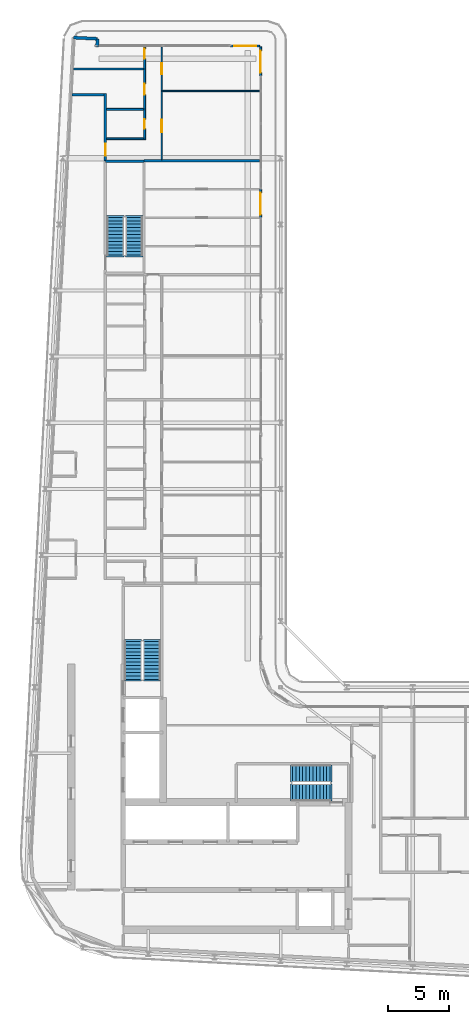
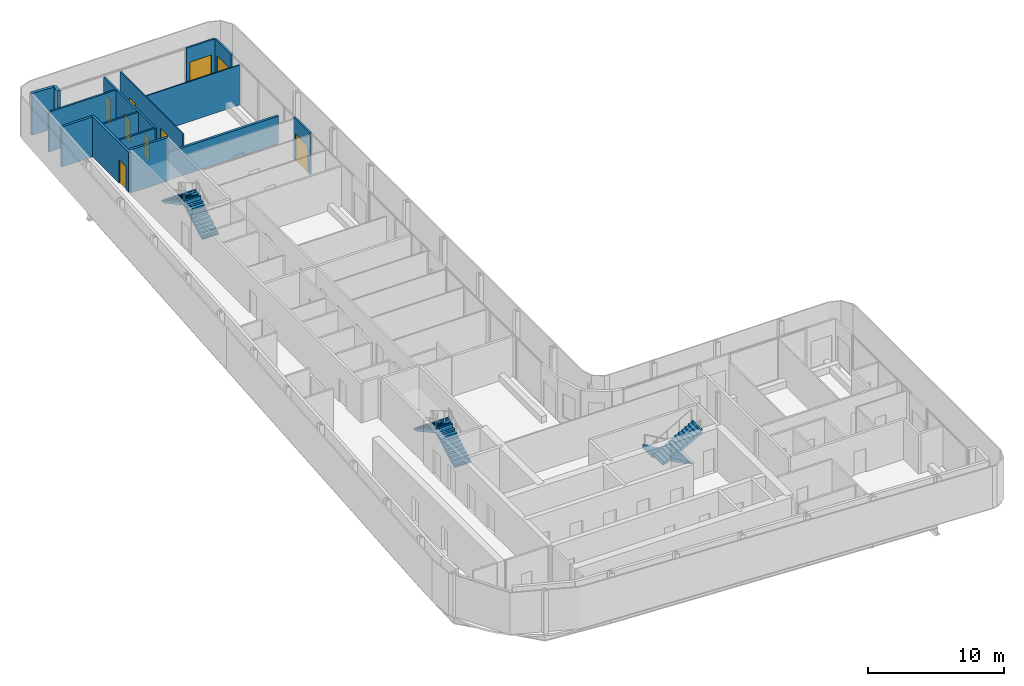
# One storey, part 15 of 21: 15 walls, 9 doors, 6 stair flights, 9 openings, 3 elements without a shape of their own.
"""IFC4 building model written with IfcOpenShell, lengths in metres."""

from ifc_helpers import new_model, si_unit, direction, frame, frame_2d, origin, place, context, subcontext, project, spatial, polyline, rectangle, outline, extrude, source, transform, mapped, material, layer, layer_set, type_object, element, fill, aggregate, save


model = new_model("IFC4")

# Units and contexts
model_context = context("Model", 3, precision=1e-05, world=origin(), true_north=direction((0.0, 1.0)))
body_context = subcontext(model_context, "Body", "Model", "MODEL_VIEW")
ifc_project = project(units=[si_unit("LENGTHUNIT", "METRE"), si_unit("AREAUNIT", "SQUARE_METRE"), si_unit("VOLUMEUNIT", "CUBIC_METRE"), si_unit("PLANEANGLEUNIT", "RADIAN"), si_unit("MASSUNIT", "GRAM", prefix="KILO")], contexts=[model_context])

# Site, building, storey
site_placement = place(None, origin())
site = spatial("IfcSite", under=ifc_project, at=site_placement, CompositionType="ELEMENT")
building_placement = place(site_placement, origin())
building = spatial("IfcBuilding", under=site, at=building_placement, Name="Kheshtan School and Residences Tower", CompositionType="ELEMENT")
storey_placement = place(building_placement, frame((0.0, 0.0, 313.699951171875)))
storey = spatial("IfcBuildingStorey", under=building, at=storey_placement, Name="L74", CompositionType="ELEMENT", Elevation=313.699951171875)

# Wall
ifc_material_1 = material(Name="Gypsum board on steel studs with fire boards", Category="steel")
ifc_layer_1 = layer(ifc_material_1, 0.199951171875)
ifc_layer_set_1 = layer_set([ifc_layer_1], Name="Corridor wall 200")
wall_type_1 = type_object("IfcWallType", Name="Corridor wall 200", PredefinedType="PARTITIONING", material=ifc_layer_set_1)
wall_1_placement = place(storey_placement, frame((30.584716796875, 94.0, 0.0), z_axis=(0.0, 0.0, 1.0), x_axis=(1.0, 0.0, 0.0)))
element("IfcWall", 1, at=wall_1_placement, inside=storey, type_object=wall_type_1, Name="Partition L74-002", PredefinedType="PARTITIONING", context=body_context, shape_type="SweptSolid", body=[
    extrude(rectangle(XDim=2.615234375, YDim=0.199951171875, at=frame_2d((1.3076171875, 0.0))), origin(), (0.0, 0.0, 1.0), 3.60009765625),
])

# Wall, opening, door
wall_2_placement = place(storey_placement, frame((33.300048828125, 88.60009765625, 0.0), z_axis=(0.0, 0.0, 1.0), x_axis=(0.0, 1.0, 0.0)))
wall_2 = element("IfcWall", 2, at=wall_2_placement, inside=storey, type_object=wall_type_1, Name="Partition L74-004", PredefinedType="PARTITIONING", context=body_context, shape_type="SweptSolid", body=[
    extrude(rectangle(XDim=5.5, YDim=0.199951171875, at=frame_2d((2.75, 0.0))), origin(), (0.0, 0.0, 1.0), 3.60009765625),
])
opening_1_placement = place(wall_2_placement, frame((0.39990234375, 0.0, 0.0)))
opening_1 = element("IfcOpeningElement", 3, at=opening_1_placement, cuts=wall_2, Name="Opening D72-033", PredefinedType="OPENING", context=body_context, shape_type="SweptSolid", body=[
    extrude(rectangle(XDim=1.0, YDim=2.10009765625, at=frame_2d((0.5, 1.050048828125))), frame((0.0, 0.10986328125, 0.0), z_axis=(0.0, -1.0, 0.0), x_axis=(1.0, 0.0, 0.0)), (0.0, 0.0, 1.0), 0.219970703125),
])
ifc_material_2 = material(Name="Steel-framed fire-resisting door leaf", Category="steel")
door_type_1 = type_object("IfcDoorType", Name="Fire door FD30S 1000 x 2100", OperationType="SINGLE_SWING_LEFT", PredefinedType="DOOR", material=ifc_material_2)
shared_shape_1 = source(origin(), body_context, "Body", "SweptSolid", [
    extrude(rectangle(XDim=1.0, YDim=2.10009765625, at=frame_2d((0.5, 1.050048828125))), frame((0.0, 0.02490234375, 0.0), z_axis=(0.0, -1.0, 0.0), x_axis=(1.0, 0.0, 0.0)), (0.0, 0.0, 1.0), 0.050048828125),
])
door_1_placement = place(opening_1_placement, origin())
door_1 = element("IfcDoor", 4, at=door_1_placement, inside=storey, type_object=door_type_1, Name="Door D72-033", OperationType="SINGLE_SWING_LEFT", OverallHeight=2.10009765625, OverallWidth=1.0, PredefinedType="DOOR", context=body_context, shape_type="MappedRepresentation", body=[
    mapped(shared_shape_1, transform((0.0, 0.0, 0.0), x_axis=(1.0, 0.0, 0.0), y_axis=(0.0, 1.0, 0.0), z_axis=(0.0, 0.0, 1.0), scale=1.0)),
])
fill(opening_1, door_1)

# Walls
ifc_material_3 = material(Name="Concrete C40/50 with ceramic cladding and mineral wool insulation", Category="concrete")
ifc_layer_2 = layer(ifc_material_3, 0.25)
ifc_layer_set_2 = layer_set([ifc_layer_2], Name="External wall 250 ceramic clad")
wall_type_2 = type_object("IfcWallType", Name="External wall 250 ceramic clad", PredefinedType="SOLIDWALL", material=ifc_layer_set_2)
wall_3_placement = place(storey_placement, frame((30.705078125, 98.6640625, 0.0), z_axis=(0.0, 0.0, 1.0), x_axis=(0.998577785791, -0.053314216913, 0.0)))
element("IfcWall", 5, at=wall_3_placement, inside=storey, type_object=wall_type_2, Name="External wall L74 5", PredefinedType="SOLIDWALL", context=body_context, shape_type="SweptSolid", body=[
    extrude(rectangle(XDim=1.95068359375, YDim=0.25, at=frame_2d((0.975341796875, 0.0))), origin(), (0.0, 0.0, 1.0), 3.75),
])
wall_4_placement = place(storey_placement, frame((32.653076171875, 98.56005859375, 0.0), z_axis=(0.0, 0.0, 1.0), x_axis=(-0.054093451632, -0.998535877418, 0.0)))
element("IfcWall", 6, at=wall_4_placement, inside=storey, type_object=wall_type_2, Name="External wall L74 6", PredefinedType="SOLIDWALL", context=body_context, shape_type="SweptSolid", body=[
    extrude(rectangle(XDim=0.66796875, YDim=0.25, at=frame_2d((0.333984375, 0.0))), origin(), (0.0, 0.0, 1.0), 3.75),
])

# Wall, opening, door
ifc_material_4 = material(Name="Aluminium frame wall with insulated infill", Category="aluminium")
ifc_layer_3 = layer(ifc_material_4, 0.14990234375)
ifc_layer_set_3 = layer_set([ifc_layer_3], Name="Glazing frame wall 150")
wall_type_3 = type_object("IfcWallType", Name="Glazing frame wall 150", PredefinedType="SOLIDWALL", material=ifc_layer_set_3)
wall_5_placement = place(storey_placement, frame((43.5, 97.97509765625, 0.0), z_axis=(0.0, 0.0, 1.0), x_axis=(1.0, 0.0, 0.0)))
wall_5 = element("IfcWall", 7, at=wall_5_placement, inside=storey, type_object=wall_type_3, Name="Balcony door wall L74 7.1", PredefinedType="SOLIDWALL", context=body_context, shape_type="SweptSolid", body=[
    extrude(rectangle(XDim=2.39990234375, YDim=0.14990234375, at=frame_2d((1.199951171875, 0.0))), origin(), (0.0, 0.0, 1.0), 3.75),
])
opening_2_placement = place(wall_5_placement, frame((0.300048828125, 0.0, 0.0)))
opening_2 = element("IfcOpeningElement", 8, at=opening_2_placement, cuts=wall_5, Name="Opening BD", PredefinedType="OPENING", context=body_context, shape_type="SweptSolid", body=[
    extrude(rectangle(XDim=1.800048828125, YDim=2.39990234375, at=frame_2d((0.89990234375, 1.199951171875))), frame((0.0, 0.0849609375, 0.0), z_axis=(0.0, -1.0, 0.0), x_axis=(1.0, 0.0, 0.0)), (0.0, 0.0, 1.0), 0.169921875),
])
ifc_material_5 = material(Name="Clear low-e glass in thermally broken aluminium frame", Category="aluminium")
door_type_2 = type_object("IfcDoorType", Name="Balcony sliding door", OperationType="SLIDING_TO_LEFT", PredefinedType="DOOR", material=ifc_material_5)
shared_shape_2 = source(origin(), body_context, "Body", "SweptSolid", [
    extrude(rectangle(XDim=1.800048828125, YDim=2.39990234375, at=frame_2d((0.89990234375, 1.199951171875))), frame((0.0, 0.02490234375, 0.0), z_axis=(0.0, -1.0, 0.0), x_axis=(1.0, 0.0, 0.0)), (0.0, 0.0, 1.0), 0.050048828125),
])
door_2_placement = place(opening_2_placement, origin())
door_2 = element("IfcDoor", 9, at=door_2_placement, inside=storey, type_object=door_type_2, Name="Balcony door L74 7.1", OperationType="SLIDING_TO_LEFT", OverallHeight=2.39990234375, OverallWidth=1.800048828125, PredefinedType="DOOR", context=body_context, shape_type="MappedRepresentation", body=[
    mapped(shared_shape_2, transform((0.0, 0.0, 0.0), x_axis=(1.0, 0.0, 0.0), y_axis=(0.0, 1.0, 0.0), z_axis=(0.0, 0.0, 1.0), scale=1.0)),
])
fill(opening_2, door_2)

wall_6_placement = place(storey_placement, frame((45.97509765625, 97.89990234375, 0.0), z_axis=(0.0, 0.0, 1.0), x_axis=(0.0, -1.0, 0.0)))
wall_6 = element("IfcWall", 10, at=wall_6_placement, inside=storey, type_object=wall_type_3, Name="Balcony door wall L74 8.1", PredefinedType="SOLIDWALL", context=body_context, shape_type="SweptSolid", body=[
    extrude(rectangle(XDim=2.39990234375, YDim=0.14990234375, at=frame_2d((1.199951171875, 0.0))), origin(), (0.0, 0.0, 1.0), 3.75),
])
opening_3_placement = place(wall_6_placement, frame((0.300048828125, 0.0, 0.0)))
opening_3 = element("IfcOpeningElement", 11, at=opening_3_placement, cuts=wall_6, Name="Opening BD", PredefinedType="OPENING", context=body_context, shape_type="SweptSolid", body=[
    extrude(rectangle(XDim=1.800048828125, YDim=2.39990234375, at=frame_2d((0.89990234375, 1.199951171875))), frame((0.0, 0.0849609375, 0.0), z_axis=(0.0, -1.0, 0.0), x_axis=(1.0, 0.0, 0.0)), (0.0, 0.0, 1.0), 0.169921875),
])
door_3_placement = place(opening_3_placement, origin())
door_3 = element("IfcDoor", 12, at=door_3_placement, inside=storey, type_object=door_type_2, Name="Balcony door L74 8.1", OperationType="SLIDING_TO_LEFT", OverallHeight=2.39990234375, OverallWidth=1.800048828125, PredefinedType="DOOR", context=body_context, shape_type="MappedRepresentation", body=[
    mapped(shared_shape_2, transform((0.0, 0.0, 0.0), x_axis=(1.0, 0.0, 0.0), y_axis=(0.0, 1.0, 0.0), z_axis=(0.0, 0.0, 1.0), scale=1.0)),
])
fill(opening_3, door_3)

wall_7_placement = place(storey_placement, frame((45.97509765625, 86.305908203125, 0.0), z_axis=(0.0, 0.0, 1.0), x_axis=(0.0, -1.0, 0.0)))
wall_7 = element("IfcWall", 13, at=wall_7_placement, inside=storey, type_object=wall_type_3, Name="Balcony door wall L74 8.2", PredefinedType="SOLIDWALL", context=body_context, shape_type="SweptSolid", body=[
    extrude(rectangle(XDim=2.39990234375, YDim=0.14990234375, at=frame_2d((1.199951171875, 0.0))), origin(), (0.0, 0.0, 1.0), 3.75),
])
opening_4_placement = place(wall_7_placement, frame((0.300048828125, 0.0, 0.0)))
opening_4 = element("IfcOpeningElement", 14, at=opening_4_placement, cuts=wall_7, Name="Opening BD", PredefinedType="OPENING", context=body_context, shape_type="SweptSolid", body=[
    extrude(rectangle(XDim=1.800048828125, YDim=2.39990234375, at=frame_2d((0.89990234375, 1.199951171875))), frame((0.0, 0.0849609375, 0.0), z_axis=(0.0, -1.0, 0.0), x_axis=(1.0, 0.0, 0.0)), (0.0, 0.0, 1.0), 0.169921875),
])
door_4_placement = place(opening_4_placement, origin())
door_4 = element("IfcDoor", 15, at=door_4_placement, inside=storey, type_object=door_type_2, Name="Balcony door L74 8.2", OperationType="SLIDING_TO_LEFT", OverallHeight=2.39990234375, OverallWidth=1.800048828125, PredefinedType="DOOR", context=body_context, shape_type="MappedRepresentation", body=[
    mapped(shared_shape_2, transform((0.0, 0.0, 0.0), x_axis=(1.0, 0.0, 0.0), y_axis=(0.0, 1.0, 0.0), z_axis=(0.0, 0.0, 1.0), scale=1.0)),
])
fill(opening_4, door_4)

# Wall, openings, doors
ifc_material_6 = material(Name="Gypsum board on steel studs", Category="steel")
ifc_layer_4 = layer(ifc_material_6, 0.10009765625)
ifc_layer_set_4 = layer_set([ifc_layer_4], Name="Gypsum partition 100")
wall_type_4 = type_object("IfcWallType", Name="Gypsum partition 100", PredefinedType="PARTITIONING", material=ifc_layer_set_4)
wall_8_placement = place(storey_placement, frame((37.89990234375, 88.699951171875, 0.0), z_axis=(0.0, 0.0, 1.0), x_axis=(0.0, 1.0, 0.0)))
wall_8 = element("IfcWall", 16, at=wall_8_placement, inside=storey, type_object=wall_type_4, Name="Partition L74-032", PredefinedType="PARTITIONING", context=body_context, shape_type="SweptSolid", body=[
    extrude(rectangle(XDim=9.199951171875, YDim=0.10009765625, at=frame_2d((4.60009765625, 0.0))), origin(), (0.0, 0.0, 1.0), 3.60009765625),
])
opening_5_placement = place(wall_8_placement, frame((6.949951171875, 0.0, 0.0)))
opening_5 = element("IfcOpeningElement", 17, at=opening_5_placement, cuts=wall_8, Name="Opening D72-032", PredefinedType="OPENING", context=body_context, shape_type="SweptSolid", body=[
    extrude(rectangle(XDim=0.89990234375, YDim=2.10009765625, at=frame_2d((0.449951171875, 1.050048828125))), frame((0.0, 0.06005859375, 0.0), z_axis=(0.0, -1.0, 0.0), x_axis=(1.0, 0.0, 0.0)), (0.0, 0.0, 1.0), 0.1201171875),
])
opening_6_placement = place(wall_8_placement, frame((2.25, 0.0, 0.0)))
opening_6 = element("IfcOpeningElement", 18, at=opening_6_placement, cuts=wall_8, Name="Opening D72-035", PredefinedType="OPENING", context=body_context, shape_type="SweptSolid", body=[
    extrude(rectangle(XDim=1.0, YDim=2.10009765625, at=frame_2d((0.5, 1.050048828125))), frame((0.0, 0.06005859375, 0.0), z_axis=(0.0, -1.0, 0.0), x_axis=(1.0, 0.0, 0.0)), (0.0, 0.0, 1.0), 0.1201171875),
])
ifc_material_7 = material(Name="Veneered timber door leaf", Category="wood")
door_type_3 = type_object("IfcDoorType", Name="Door 1000 x 2100", OperationType="SINGLE_SWING_LEFT", PredefinedType="DOOR", material=ifc_material_7)
shared_shape_3 = source(origin(), body_context, "Body", "SweptSolid", [
    extrude(rectangle(XDim=1.0, YDim=2.10009765625, at=frame_2d((0.5, 1.050048828125))), frame((0.0, 0.02490234375, 0.0), z_axis=(0.0, -1.0, 0.0), x_axis=(1.0, 0.0, 0.0)), (0.0, 0.0, 1.0), 0.050048828125),
])
door_5_placement = place(opening_6_placement, origin())
door_5 = element("IfcDoor", 19, at=door_5_placement, inside=storey, type_object=door_type_3, Name="Door D72-035", OperationType="SINGLE_SWING_RIGHT", OverallHeight=2.10009765625, OverallWidth=1.0, PredefinedType="DOOR", context=body_context, shape_type="MappedRepresentation", body=[
    mapped(shared_shape_3, transform((0.0, 0.0, 0.0), x_axis=(1.0, 0.0, 0.0), y_axis=(0.0, 1.0, 0.0), z_axis=(0.0, 0.0, 1.0), scale=1.0)),
])
fill(opening_6, door_5)
door_type_4 = type_object("IfcDoorType", Name="Door 900 x 2100", OperationType="SINGLE_SWING_LEFT", PredefinedType="DOOR", material=ifc_material_7)
shared_shape_4 = source(origin(), body_context, "Body", "SweptSolid", [
    extrude(rectangle(XDim=0.89990234375, YDim=2.10009765625, at=frame_2d((0.449951171875, 1.050048828125))), frame((0.0, 0.02490234375, 0.0), z_axis=(0.0, -1.0, 0.0), x_axis=(1.0, 0.0, 0.0)), (0.0, 0.0, 1.0), 0.050048828125),
])
door_6_placement = place(opening_5_placement, origin())
door_6 = element("IfcDoor", 20, at=door_6_placement, inside=storey, type_object=door_type_4, Name="Door D72-032", OperationType="SINGLE_SWING_RIGHT", OverallHeight=2.10009765625, OverallWidth=0.89990234375, PredefinedType="DOOR", context=body_context, shape_type="MappedRepresentation", body=[
    mapped(shared_shape_4, transform((0.0, 0.0, 0.0), x_axis=(1.0, 0.0, 0.0), y_axis=(0.0, 1.0, 0.0), z_axis=(0.0, 0.0, 1.0), scale=1.0)),
])
fill(opening_5, door_6)

# Walls
wall_9_placement = place(storey_placement, frame((37.949951171875, 94.300048828125, 0.0), z_axis=(0.0, 0.0, 1.0), x_axis=(1.0, 0.0, 0.0)))
element("IfcWall", 21, at=wall_9_placement, inside=storey, type_object=wall_type_4, Name="Partition L74-033", PredefinedType="PARTITIONING", context=body_context, shape_type="SweptSolid", body=[
    extrude(rectangle(XDim=7.949951171875, YDim=0.10009765625, at=frame_2d((3.97509765625, 0.0))), origin(), (0.0, 0.0, 1.0), 3.60009765625),
])
ifc_material_8 = material(Name="Concrete C40/50", Category="concrete")
ifc_layer_5 = layer(ifc_material_8, 0.199951171875)
ifc_layer_set_5 = layer_set([ifc_layer_5], Name="Stair enclosure wall 200 Concrete C40/50")
wall_type_5 = type_object("IfcWallType", Name="Stair enclosure wall 200 Concrete C40/50", PredefinedType="SHEAR", material=ifc_layer_set_5)
wall_10_placement = place(storey_placement, frame((33.300048828125, 88.56005859375, 0.0), z_axis=(0.0, 0.0, 1.0), x_axis=(1.0, 0.0, 0.0)))
element("IfcWall", 22, at=wall_10_placement, inside=storey, type_object=wall_type_5, Name="Stair enclosure wall ST3", PredefinedType="SHEAR", context=body_context, shape_type="SweptSolid", body=[
    extrude(rectangle(XDim=3.14990234375, YDim=0.199951171875, at=frame_2d((1.574951171875, 0.0))), origin(), (0.0, 0.0, 1.0), 3.900146484375),
])
ifc_material_9 = material(Name="Twin gypsum board on steel studs with mineral wool", Category="steel")
ifc_layer_6 = layer(ifc_material_9, 0.199951171875)
ifc_layer_set_6 = layer_set([ifc_layer_6], Name="Unit demising wall 200")
wall_type_6 = type_object("IfcWallType", Name="Unit demising wall 200", PredefinedType="PARTITIONING", material=ifc_layer_set_6)
wall_11_placement = place(storey_placement, frame((36.449951171875, 88.60009765625, 0.0), z_axis=(0.0, 0.0, 1.0), x_axis=(1.0, 0.0, 0.0)))
element("IfcWall", 23, at=wall_11_placement, inside=storey, type_object=wall_type_6, Name="Partition L74-024", PredefinedType="PARTITIONING", context=body_context, shape_type="SweptSolid", body=[
    extrude(rectangle(XDim=9.449951171875, YDim=0.199951171875, at=frame_2d((4.72509765625, 0.0))), origin(), (0.0, 0.0, 1.0), 2.5),
])
ifc_material_10 = material(Name="Moisture-resistant gypsum board on steel studs", Category="steel")
ifc_layer_7 = layer(ifc_material_10, 0.14990234375)
ifc_layer_set_7 = layer_set([ifc_layer_7], Name="Wet-room partition 150")
wall_type_7 = type_object("IfcWallType", Name="Wet-room partition 150", PredefinedType="PARTITIONING", material=ifc_layer_set_7)
wall_12_placement = place(storey_placement, frame((30.695068359375, 96.10009765625, 0.0), z_axis=(0.0, 0.0, 1.0), x_axis=(1.0, 0.0, 0.0)))
element("IfcWall", 24, at=wall_12_placement, inside=storey, type_object=wall_type_7, Name="Partition L74-001", PredefinedType="PARTITIONING", context=body_context, shape_type="SweptSolid", body=[
    extrude(rectangle(XDim=5.72998046875, YDim=0.14990234375, at=frame_2d((2.864990234375, 0.0))), origin(), (0.0, 0.0, 1.0), 3.60009765625),
])
for number, where, z_axis, x_axis, name in (
    (25, (33.39990234375, 90.39990234375, 0.0), (0.0, 0.0, 1.0), (1.0, 0.0, 0.0), "Partition L74-016"),
    (26, (33.39990234375, 92.800048828125, 0.0), (0.0, 0.0, 1.0), (1.0, 0.0, 0.0), "Partition L74-017"),
):
    element("IfcWall", number, at=place(storey_placement, frame(where, z_axis=z_axis, x_axis=x_axis)), inside=storey, type_object=wall_type_7, Name=name, PredefinedType="PARTITIONING", context=body_context, shape_type="SweptSolid", body=[
        extrude(rectangle(XDim=3.025146484375, YDim=0.14990234375, at=frame_2d((1.5126953125, 0.0))), origin(), (0.0, 0.0, 1.0), 3.60009765625),
    ])

# Wall, openings, doors
wall_13_placement = place(storey_placement, frame((36.5, 90.324951171875, 0.0), z_axis=(0.0, 0.0, 1.0), x_axis=(0.0, 1.0, 0.0)))
wall_13 = element("IfcWall", 27, at=wall_13_placement, inside=storey, type_object=wall_type_7, Name="Partition L74-025", PredefinedType="PARTITIONING", context=body_context, shape_type="SweptSolid", body=[
    extrude(rectangle(XDim=7.574951171875, YDim=0.14990234375, at=frame_2d((3.78759765625, 0.0))), origin(), (0.0, 0.0, 1.0), 3.60009765625),
])
opening_7_placement = place(wall_13_placement, frame((0.875, 0.0, 0.0)))
opening_7 = element("IfcOpeningElement", 28, at=opening_7_placement, cuts=wall_13, Name="Opening D72-031", PredefinedType="OPENING", context=body_context, shape_type="SweptSolid", body=[
    extrude(rectangle(XDim=0.800048828125, YDim=2.10009765625, at=frame_2d((0.39990234375, 1.050048828125))), frame((0.0, 0.0849609375, 0.0), z_axis=(0.0, -1.0, 0.0), x_axis=(1.0, 0.0, 0.0)), (0.0, 0.0, 1.0), 0.169921875),
])
opening_8_placement = place(wall_13_placement, frame((3.675048828125, 0.0, 0.0)))
opening_8 = element("IfcOpeningElement", 29, at=opening_8_placement, cuts=wall_13, Name="Opening D72-034", PredefinedType="OPENING", context=body_context, shape_type="SweptSolid", body=[
    extrude(rectangle(XDim=0.89990234375, YDim=2.10009765625, at=frame_2d((0.449951171875, 1.050048828125))), frame((0.0, 0.0849609375, 0.0), z_axis=(0.0, -1.0, 0.0), x_axis=(1.0, 0.0, 0.0)), (0.0, 0.0, 1.0), 0.169921875),
])
opening_9_placement = place(wall_13_placement, frame((6.625, 0.0, 0.0)))
opening_9 = element("IfcOpeningElement", 30, at=opening_9_placement, cuts=wall_13, Name="Opening D72-036", PredefinedType="OPENING", context=body_context, shape_type="SweptSolid", body=[
    extrude(rectangle(XDim=0.800048828125, YDim=2.10009765625, at=frame_2d((0.39990234375, 1.050048828125))), frame((0.0, 0.0849609375, 0.0), z_axis=(0.0, -1.0, 0.0), x_axis=(1.0, 0.0, 0.0)), (0.0, 0.0, 1.0), 0.169921875),
])
door_type_5 = type_object("IfcDoorType", Name="Door 800 x 2100", OperationType="SINGLE_SWING_LEFT", PredefinedType="DOOR", material=ifc_material_7)
shared_shape_5 = source(origin(), body_context, "Body", "SweptSolid", [
    extrude(rectangle(XDim=0.800048828125, YDim=2.10009765625, at=frame_2d((0.39990234375, 1.050048828125))), frame((0.0, 0.02490234375, 0.0), z_axis=(0.0, -1.0, 0.0), x_axis=(1.0, 0.0, 0.0)), (0.0, 0.0, 1.0), 0.050048828125),
])
door_7_placement = place(opening_7_placement, origin())
door_7 = element("IfcDoor", 31, at=door_7_placement, inside=storey, type_object=door_type_5, Name="Door D72-031", OperationType="SINGLE_SWING_LEFT", OverallHeight=2.10009765625, OverallWidth=0.800048828125, PredefinedType="DOOR", context=body_context, shape_type="MappedRepresentation", body=[
    mapped(shared_shape_5, transform((0.0, 0.0, 0.0), x_axis=(1.0, 0.0, 0.0), y_axis=(0.0, 1.0, 0.0), z_axis=(0.0, 0.0, 1.0), scale=1.0)),
])
fill(opening_7, door_7)
door_8_placement = place(opening_9_placement, origin())
door_8 = element("IfcDoor", 32, at=door_8_placement, inside=storey, type_object=door_type_5, Name="Door D72-036", OperationType="SINGLE_SWING_LEFT", OverallHeight=2.10009765625, OverallWidth=0.800048828125, PredefinedType="DOOR", context=body_context, shape_type="MappedRepresentation", body=[
    mapped(shared_shape_5, transform((0.0, 0.0, 0.0), x_axis=(1.0, 0.0, 0.0), y_axis=(0.0, 1.0, 0.0), z_axis=(0.0, 0.0, 1.0), scale=1.0)),
])
fill(opening_9, door_8)
door_9_placement = place(opening_8_placement, origin())
door_9 = element("IfcDoor", 33, at=door_9_placement, inside=storey, type_object=door_type_4, Name="Door D72-034", OperationType="SINGLE_SWING_LEFT", OverallHeight=2.10009765625, OverallWidth=0.89990234375, PredefinedType="DOOR", context=body_context, shape_type="MappedRepresentation", body=[
    mapped(shared_shape_4, transform((0.0, 0.0, 0.0), x_axis=(1.0, 0.0, 0.0), y_axis=(0.0, 1.0, 0.0), z_axis=(0.0, 0.0, 1.0), scale=1.0)),
])
fill(opening_8, door_9)

# Stair, stair flights
stair_type = type_object("IfcStairType", Name="Exit stair, half-turn", PredefinedType="HALF_TURN_STAIR", material=ifc_material_8)
stair_1_placement = place(storey_placement, origin())
stair_1 = element("IfcStair", 34, at=stair_1_placement, inside=storey, type_object=stair_type, Name="L74 Protected Exit Stair ST1", PredefinedType="HALF_TURN_STAIR")
ifc_layer_8 = layer(ifc_material_8, 0.14990234375)
ifc_layer_set_8 = layer_set([ifc_layer_8], Name="Stair flight 1400 Concrete C40/50")
stair_flight_type = type_object("IfcStairFlightType", Name="Stair flight 1400 Concrete C40/50", PredefinedType="STRAIGHT", material=ifc_layer_set_8)
stair_flight_1_placement = place(storey_placement, frame((51.64990234375, 38.550048828125, 0.0), z_axis=(0.0, 0.0, 1.0), x_axis=(-1.0, 0.0, 0.0)))
stair_flight_1 = element("IfcStairFlight", 35, at=stair_flight_1_placement, type_object=stair_flight_type, Name="ST1 flight 1", NumberOfRisers=12, NumberOfTreads=11, PredefinedType="STRAIGHT", RiserHeight=0.1625, TreadLength=0.28, context=body_context, shape_type="SweptSolid", body=[
    extrude(outline(polyline([(-0.14990234375, -0.10009765625), (-0.14990234375, 0.0), (0.0, 0.0), (0.0, 0.16259765625), (0.280029296875, 0.16259765625), (0.280029296875, 0.324951171875), (0.56005859375, 0.324951171875), (0.56005859375, 0.487548828125), (0.840087890625, 0.487548828125), (0.840087890625, 0.64990234375), (1.1201171875, 0.64990234375), (1.1201171875, 0.8125), (1.39990234375, 0.8125), (1.39990234375, 0.97509765625), (1.679931640625, 0.97509765625), (1.679931640625, 1.137451171875), (1.9599609375, 1.137451171875), (1.9599609375, 1.300048828125), (2.239990234375, 1.300048828125), (2.239990234375, 1.46240234375), (2.52001953125, 1.46240234375), (2.52001953125, 1.625), (2.800048828125, 1.625), (2.800048828125, 1.78759765625), (3.080078125, 1.78759765625), (3.080078125, 1.949951171875), (3.080078125, 1.969970703125), (3.22998046875, 1.969970703125), (3.22998046875, 1.6142578125), (0.298583984375, 0.0), (-0.14990234375, -0.10009765625)])), frame((0.0, 0.699951171875, 0.0), z_axis=(0.0, -1.0, 0.0), x_axis=(1.0, 0.0, 0.0)), (0.0, 0.0, 1.0), 1.39990234375),
])
stair_flight_2_placement = place(storey_placement, frame((48.570068359375, 37.0, 1.949951171875), z_axis=(0.0, 0.0, 1.0), x_axis=(1.0, 0.0, 0.0)))
stair_flight_2 = element("IfcStairFlight", 36, at=stair_flight_2_placement, type_object=stair_flight_type, Name="ST1 flight 2", NumberOfRisers=12, NumberOfTreads=11, PredefinedType="STRAIGHT", RiserHeight=0.1625, TreadLength=0.28, context=body_context, shape_type="SweptSolid", body=[
    extrude(outline(polyline([(-0.14990234375, -0.10009765625), (-0.14990234375, 0.0), (0.0, 0.0), (0.0, 0.16259765625), (0.280029296875, 0.16259765625), (0.280029296875, 0.324951171875), (0.56005859375, 0.324951171875), (0.56005859375, 0.487548828125), (0.840087890625, 0.487548828125), (0.840087890625, 0.64990234375), (1.1201171875, 0.64990234375), (1.1201171875, 0.8125), (1.39990234375, 0.8125), (1.39990234375, 0.97509765625), (1.679931640625, 0.97509765625), (1.679931640625, 1.137451171875), (1.9599609375, 1.137451171875), (1.9599609375, 1.300048828125), (2.239990234375, 1.300048828125), (2.239990234375, 1.46240234375), (2.52001953125, 1.46240234375), (2.52001953125, 1.625), (2.800048828125, 1.625), (2.800048828125, 1.78759765625), (3.080078125, 1.78759765625), (3.080078125, 1.949951171875), (3.080078125, 1.969970703125), (3.22998046875, 1.969970703125), (3.22998046875, 1.6142578125), (0.298583984375, 0.0), (-0.14990234375, -0.10009765625)])), frame((0.0, 0.699951171875, 0.0), z_axis=(0.0, -1.0, 0.0), x_axis=(1.0, 0.0, 0.0)), (0.0, 0.0, 1.0), 1.39990234375),
])
aggregate(stair_1, [stair_flight_1, stair_flight_2])

stair_2_placement = place(storey_placement, origin())
stair_2 = element("IfcStair", 37, at=stair_2_placement, inside=storey, type_object=stair_type, Name="L74 Protected Exit Stair ST2", PredefinedType="HALF_TURN_STAIR")
stair_flight_3_placement = place(storey_placement, frame((37.10009765625, 46.25, 0.0), z_axis=(0.0, 0.0, 1.0), x_axis=(0.0, 1.0, 0.0)))
stair_flight_3 = element("IfcStairFlight", 38, at=stair_flight_3_placement, type_object=stair_flight_type, Name="ST2 flight 1", NumberOfRisers=12, NumberOfTreads=11, PredefinedType="STRAIGHT", RiserHeight=0.1625, TreadLength=0.28, context=body_context, shape_type="SweptSolid", body=[
    extrude(outline(polyline([(-0.14990234375, -0.10009765625), (-0.14990234375, 0.0), (0.0, 0.0), (0.0, 0.16259765625), (0.280029296875, 0.16259765625), (0.280029296875, 0.324951171875), (0.56005859375, 0.324951171875), (0.56005859375, 0.487548828125), (0.840087890625, 0.487548828125), (0.840087890625, 0.64990234375), (1.1201171875, 0.64990234375), (1.1201171875, 0.8125), (1.39990234375, 0.8125), (1.39990234375, 0.97509765625), (1.679931640625, 0.97509765625), (1.679931640625, 1.137451171875), (1.9599609375, 1.137451171875), (1.9599609375, 1.300048828125), (2.239990234375, 1.300048828125), (2.239990234375, 1.46240234375), (2.52001953125, 1.46240234375), (2.52001953125, 1.625), (2.800048828125, 1.625), (2.800048828125, 1.78759765625), (3.080078125, 1.78759765625), (3.080078125, 1.949951171875), (3.080078125, 1.969970703125), (3.22998046875, 1.969970703125), (3.22998046875, 1.6142578125), (0.298583984375, 0.0), (-0.14990234375, -0.10009765625)])), frame((0.0, 0.699951171875, 0.0), z_axis=(0.0, -1.0, 0.0), x_axis=(1.0, 0.0, 0.0)), (0.0, 0.0, 1.0), 1.39990234375),
])
stair_flight_4_placement = place(storey_placement, frame((35.550048828125, 49.330078125, 1.949951171875), z_axis=(0.0, 0.0, 1.0), x_axis=(0.0, -1.0, 0.0)))
stair_flight_4 = element("IfcStairFlight", 39, at=stair_flight_4_placement, type_object=stair_flight_type, Name="ST2 flight 2", NumberOfRisers=12, NumberOfTreads=11, PredefinedType="STRAIGHT", RiserHeight=0.1625, TreadLength=0.28, context=body_context, shape_type="SweptSolid", body=[
    extrude(outline(polyline([(-0.14990234375, -0.10009765625), (-0.14990234375, 0.0), (0.0, 0.0), (0.0, 0.16259765625), (0.280029296875, 0.16259765625), (0.280029296875, 0.324951171875), (0.56005859375, 0.324951171875), (0.56005859375, 0.487548828125), (0.840087890625, 0.487548828125), (0.840087890625, 0.64990234375), (1.1201171875, 0.64990234375), (1.1201171875, 0.8125), (1.39990234375, 0.8125), (1.39990234375, 0.97509765625), (1.679931640625, 0.97509765625), (1.679931640625, 1.137451171875), (1.9599609375, 1.137451171875), (1.9599609375, 1.300048828125), (2.239990234375, 1.300048828125), (2.239990234375, 1.46240234375), (2.52001953125, 1.46240234375), (2.52001953125, 1.625), (2.800048828125, 1.625), (2.800048828125, 1.78759765625), (3.080078125, 1.78759765625), (3.080078125, 1.949951171875), (3.080078125, 1.969970703125), (3.22998046875, 1.969970703125), (3.22998046875, 1.6142578125), (0.298583984375, 0.0), (-0.14990234375, -0.10009765625)])), frame((0.0, 0.699951171875, 0.0), z_axis=(0.0, -1.0, 0.0), x_axis=(1.0, 0.0, 0.0)), (0.0, 0.0, 1.0), 1.39990234375),
])
aggregate(stair_2, [stair_flight_3, stair_flight_4])

stair_3_placement = place(storey_placement, origin())
stair_3 = element("IfcStair", 40, at=stair_3_placement, inside=storey, type_object=stair_type, Name="L74 Protected Exit Stair ST3", PredefinedType="HALF_TURN_STAIR")
stair_flight_5_placement = place(storey_placement, frame((35.64990234375, 80.89990234375, 0.0), z_axis=(0.0, 0.0, 1.0), x_axis=(0.0, 1.0, 0.0)))
stair_flight_5 = element("IfcStairFlight", 41, at=stair_flight_5_placement, type_object=stair_flight_type, Name="ST3 flight 1", NumberOfRisers=12, NumberOfTreads=11, PredefinedType="STRAIGHT", RiserHeight=0.1625, TreadLength=0.28, context=body_context, shape_type="SweptSolid", body=[
    extrude(outline(polyline([(-0.14990234375, -0.10009765625), (-0.14990234375, 0.0), (0.0, 0.0), (0.0, 0.16259765625), (0.280029296875, 0.16259765625), (0.280029296875, 0.324951171875), (0.56005859375, 0.324951171875), (0.56005859375, 0.487548828125), (0.840087890625, 0.487548828125), (0.840087890625, 0.64990234375), (1.1201171875, 0.64990234375), (1.1201171875, 0.8125), (1.39990234375, 0.8125), (1.39990234375, 0.97509765625), (1.679931640625, 0.97509765625), (1.679931640625, 1.137451171875), (1.9599609375, 1.137451171875), (1.9599609375, 1.300048828125), (2.239990234375, 1.300048828125), (2.239990234375, 1.46240234375), (2.52001953125, 1.46240234375), (2.52001953125, 1.625), (2.800048828125, 1.625), (2.800048828125, 1.78759765625), (3.080078125, 1.78759765625), (3.080078125, 1.949951171875), (3.080078125, 1.969970703125), (3.22998046875, 1.969970703125), (3.22998046875, 1.6142578125), (0.298583984375, 0.0), (-0.14990234375, -0.10009765625)])), frame((0.0, 0.699951171875, 0.0), z_axis=(0.0, -1.0, 0.0), x_axis=(1.0, 0.0, 0.0)), (0.0, 0.0, 1.0), 1.39990234375),
])
stair_flight_6_placement = place(storey_placement, frame((34.10009765625, 83.97998046875, 1.949951171875), z_axis=(0.0, 0.0, 1.0), x_axis=(0.0, -1.0, 0.0)))
stair_flight_6 = element("IfcStairFlight", 42, at=stair_flight_6_placement, type_object=stair_flight_type, Name="ST3 flight 2", NumberOfRisers=12, NumberOfTreads=11, PredefinedType="STRAIGHT", RiserHeight=0.1625, TreadLength=0.28, context=body_context, shape_type="SweptSolid", body=[
    extrude(outline(polyline([(-0.14990234375, -0.10009765625), (-0.14990234375, 0.0), (0.0, 0.0), (0.0, 0.16259765625), (0.280029296875, 0.16259765625), (0.280029296875, 0.324951171875), (0.56005859375, 0.324951171875), (0.56005859375, 0.487548828125), (0.840087890625, 0.487548828125), (0.840087890625, 0.64990234375), (1.1201171875, 0.64990234375), (1.1201171875, 0.8125), (1.39990234375, 0.8125), (1.39990234375, 0.97509765625), (1.679931640625, 0.97509765625), (1.679931640625, 1.137451171875), (1.9599609375, 1.137451171875), (1.9599609375, 1.300048828125), (2.239990234375, 1.300048828125), (2.239990234375, 1.46240234375), (2.52001953125, 1.46240234375), (2.52001953125, 1.625), (2.800048828125, 1.625), (2.800048828125, 1.78759765625), (3.080078125, 1.78759765625), (3.080078125, 1.949951171875), (3.080078125, 1.969970703125), (3.22998046875, 1.969970703125), (3.22998046875, 1.6142578125), (0.298583984375, 0.0), (-0.14990234375, -0.10009765625)])), frame((0.0, 0.699951171875, 0.0), z_axis=(0.0, -1.0, 0.0), x_axis=(1.0, 0.0, 0.0)), (0.0, 0.0, 1.0), 1.39990234375),
])
aggregate(stair_3, [stair_flight_5, stair_flight_6])

save(model, "model.ifc")
